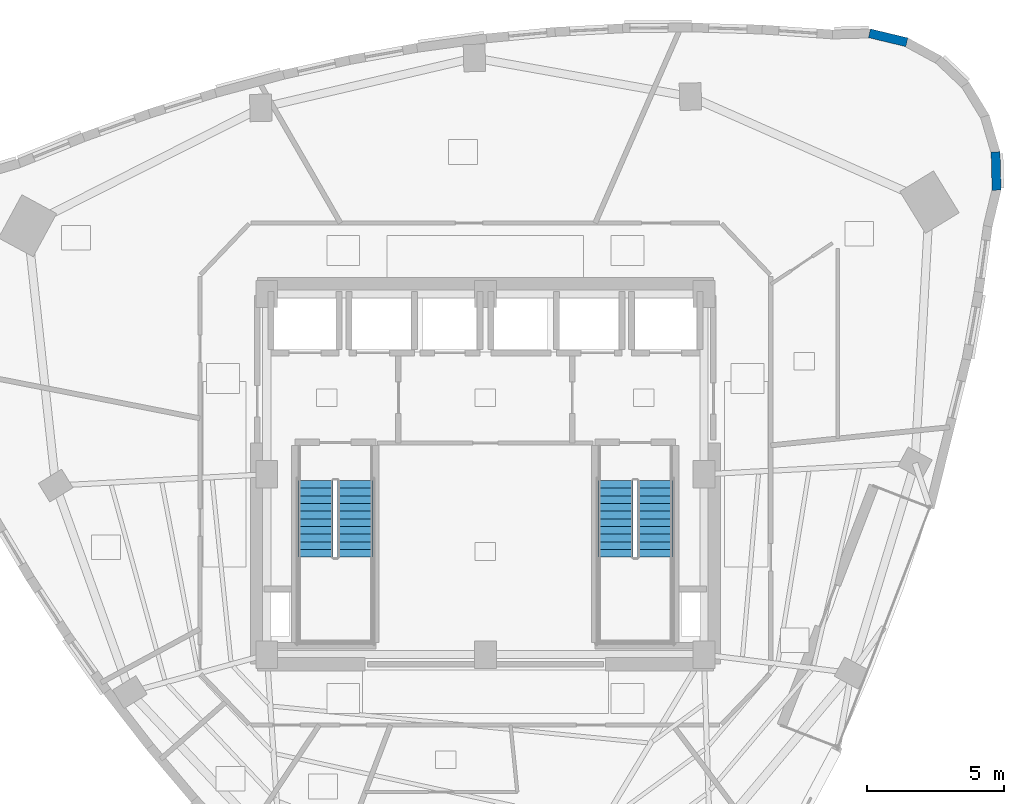
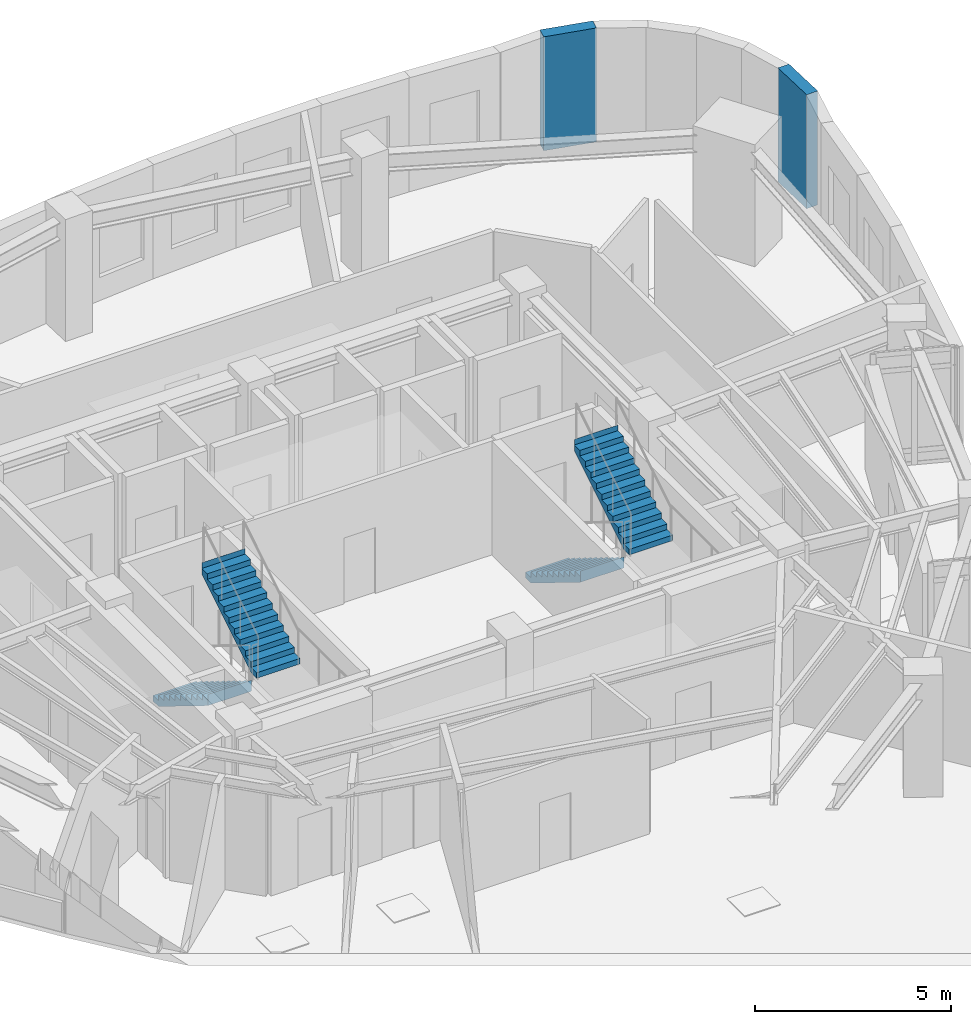
# One storey, part 7 of 10: 4 stair flights, 2 walls, 2 elements without a shape of their own.
"""IFC4 building model written with IfcOpenShell, lengths in metres."""

from ifc_helpers import new_model, si_unit, direction, frame, frame_2d, origin, place, context, subcontext, project, spatial, polyline, rectangle, outline, extrude, material, layer, layer_set, type_object, element, aggregate, save


model = new_model("IFC4")

# Units and contexts
model_context = context("Model", 3, precision=1e-05, world=origin(), true_north=direction((0.0, 1.0)))
body_context = subcontext(model_context, "Body", "Model", "MODEL_VIEW")
ifc_project = project(units=[si_unit("LENGTHUNIT", "METRE"), si_unit("AREAUNIT", "SQUARE_METRE"), si_unit("VOLUMEUNIT", "CUBIC_METRE"), si_unit("PLANEANGLEUNIT", "RADIAN"), si_unit("MASSUNIT", "GRAM", prefix="KILO")], contexts=[model_context])

# Site, building, storey
site_placement = place(None, origin())
site = spatial("IfcSite", under=ifc_project, at=site_placement, CompositionType="ELEMENT")
building_placement = place(site_placement, origin())
building = spatial("IfcBuilding", under=site, at=building_placement, Name="Ndelora Gate Hotel", CompositionType="ELEMENT")
storey_placement = place(building_placement, frame((0.0, 0.0, 239.75)))
storey = spatial("IfcBuildingStorey", under=building, at=storey_placement, Name="L60", CompositionType="ELEMENT", Elevation=239.75)

# Walls
ifc_material_1 = material(Name="Clay Brick Masonry", Category="masonry")
ifc_layer = layer(ifc_material_1, 0.330078125)
ifc_layer_set = layer_set([ifc_layer], Name="Clay Brick Masonry")
wall_type = type_object("IfcWallType", Name="WL-BRICK-330", PredefinedType="SOLIDWALL", material=ifc_layer_set)
wall_1_placement = place(storey_placement, frame((18.6796875, 11.806396484375, 0.0), z_axis=(0.0, 0.0, 1.0), x_axis=(0.02619264168, -0.999656913907, 0.0)))
element("IfcWall", 1, at=wall_1_placement, inside=storey, type_object=wall_type, Name="L60 Tower Brick Pier-and-Spandrel Wall TWR-40", PredefinedType="SOLIDWALL", context=body_context, shape_type="SweptSolid", body=[
    extrude(rectangle(XDim=1.407470703125, YDim=0.330078125, at=frame_2d((0.70361328125, 0.0))), origin(), (0.0, 0.0, 1.0), 3.550048828125),
])
wall_2_placement = place(storey_placement, frame((14.063720703125, 16.145263671875, 0.0), z_axis=(0.0, 0.0, 1.0), x_axis=(0.972395175274, -0.233340144647, 0.0)))
element("IfcWall", 2, at=wall_2_placement, inside=storey, type_object=wall_type, Name="L60 Tower Brick Pier-and-Spandrel Wall TWR-45", PredefinedType="SOLIDWALL", context=body_context, shape_type="SweptSolid", body=[
    extrude(rectangle(XDim=1.4072265625, YDim=0.330078125, at=frame_2d((0.70361328125, 0.0))), origin(), (0.0, 0.0, 1.0), 3.550048828125),
])

# Stair, stair flights
ifc_material_2 = material(Name="Precast concrete C40/50", Category="concrete")
stair_type = type_object("IfcStairType", Name="STR-DOG-CORE", PredefinedType="HALF_TURN_STAIR", material=ifc_material_2)
stair_1_placement = place(storey_placement, origin())
stair_1 = element("IfcStair", 3, at=stair_1_placement, inside=storey, type_object=stair_type, Name="L60 Protected Core Exit Stair ST4", PredefinedType="HALF_TURN_STAIR")
stair_flight_type = type_object("IfcStairFlightType", Name="STF-PRECAST", PredefinedType="STRAIGHT", material=ifc_material_2)
stair_flight_1_placement = place(storey_placement, frame((-6.2099609375, -0.22998046875, 0.0), z_axis=(0.0, 0.0, 1.0), x_axis=(0.0, -1.0, 0.0)))
stair_flight_1 = element("IfcStairFlight", 4, at=stair_flight_1_placement, type_object=stair_flight_type, Name="ST4 flight 1", NumberOfRisers=11, NumberOfTreads=10, PredefinedType="STRAIGHT", RiserHeight=0.172727273, TreadLength=0.28, context=body_context, shape_type="SweptSolid", body=[
    extrude(outline(polyline([(-0.00048828125, 0.0), (-0.00048828125, 0.172607421875), (0.0, 0.172607421875), (0.280029296875, 0.172607421875), (0.280029296875, 0.345458984375), (0.56005859375, 0.345458984375), (0.56005859375, 0.51806640625), (0.840087890625, 0.51806640625), (0.840087890625, 0.69091796875), (1.1201171875, 0.69091796875), (1.1201171875, 0.863525390625), (1.39990234375, 0.863525390625), (1.39990234375, 1.036376953125), (1.679931640625, 1.036376953125), (1.679931640625, 1.208984375), (1.9599609375, 1.208984375), (1.9599609375, 1.3818359375), (2.239990234375, 1.3818359375), (2.239990234375, 1.554443359375), (2.52001953125, 1.554443359375), (2.52001953125, 1.727294921875), (2.800048828125, 1.727294921875), (2.800048828125, 1.89990234375), (2.800537109375, 1.89990234375), (2.800537109375, 1.719970703125), (2.800048828125, 1.551025390625), (0.285400390625, 0.0), (-0.00048828125, 0.0)])), frame((0.0, 0.64013671875, 0.0), z_axis=(0.0, -1.0, 0.0), x_axis=(1.0, 0.0, 0.0)), (0.0, 0.0, 1.0), 1.280029296875),
])
stair_flight_2_placement = place(storey_placement, frame((-4.77001953125, -3.030029296875, 1.89990234375), z_axis=(0.0, 0.0, 1.0), x_axis=(0.0, 1.0, 0.0)))
stair_flight_2 = element("IfcStairFlight", 5, at=stair_flight_2_placement, type_object=stair_flight_type, Name="ST4 flight 2", NumberOfRisers=11, NumberOfTreads=10, PredefinedType="STRAIGHT", RiserHeight=0.172727273, TreadLength=0.28, context=body_context, shape_type="SweptSolid", body=[
    extrude(outline(polyline([(-0.00048828125, 0.0), (-0.00048828125, 0.172607421875), (0.0, 0.172607421875), (0.280029296875, 0.172607421875), (0.280029296875, 0.345458984375), (0.56005859375, 0.345458984375), (0.56005859375, 0.51806640625), (0.840087890625, 0.51806640625), (0.840087890625, 0.69091796875), (1.1201171875, 0.69091796875), (1.1201171875, 0.863525390625), (1.39990234375, 0.863525390625), (1.39990234375, 1.036376953125), (1.679931640625, 1.036376953125), (1.679931640625, 1.208984375), (1.9599609375, 1.208984375), (1.9599609375, 1.3818359375), (2.239990234375, 1.3818359375), (2.239990234375, 1.554443359375), (2.52001953125, 1.554443359375), (2.52001953125, 1.727294921875), (2.800048828125, 1.727294921875), (2.800048828125, 1.89990234375), (2.800537109375, 1.89990234375), (2.800537109375, 1.719970703125), (2.800048828125, 1.551025390625), (0.285400390625, 0.0), (-0.00048828125, 0.0)])), frame((0.0, 0.64013671875, 0.0), z_axis=(0.0, -1.0, 0.0), x_axis=(1.0, 0.0, 0.0)), (0.0, 0.0, 1.0), 1.280029296875),
])
aggregate(stair_1, [stair_flight_1, stair_flight_2])

stair_2_placement = place(storey_placement, origin())
stair_2 = element("IfcStair", 6, at=stair_2_placement, inside=storey, type_object=stair_type, Name="L60 Protected Core Exit Stair ST5", PredefinedType="HALF_TURN_STAIR")
stair_flight_3_placement = place(storey_placement, frame((4.77001953125, -0.22998046875, 0.0), z_axis=(0.0, 0.0, 1.0), x_axis=(0.0, -1.0, 0.0)))
stair_flight_3 = element("IfcStairFlight", 7, at=stair_flight_3_placement, type_object=stair_flight_type, Name="ST5 flight 1", NumberOfRisers=11, NumberOfTreads=10, PredefinedType="STRAIGHT", RiserHeight=0.172727273, TreadLength=0.28, context=body_context, shape_type="SweptSolid", body=[
    extrude(outline(polyline([(-0.00048828125, 0.0), (-0.00048828125, 0.172607421875), (0.0, 0.172607421875), (0.280029296875, 0.172607421875), (0.280029296875, 0.345458984375), (0.56005859375, 0.345458984375), (0.56005859375, 0.51806640625), (0.840087890625, 0.51806640625), (0.840087890625, 0.69091796875), (1.1201171875, 0.69091796875), (1.1201171875, 0.863525390625), (1.39990234375, 0.863525390625), (1.39990234375, 1.036376953125), (1.679931640625, 1.036376953125), (1.679931640625, 1.208984375), (1.9599609375, 1.208984375), (1.9599609375, 1.3818359375), (2.239990234375, 1.3818359375), (2.239990234375, 1.554443359375), (2.52001953125, 1.554443359375), (2.52001953125, 1.727294921875), (2.800048828125, 1.727294921875), (2.800048828125, 1.89990234375), (2.800537109375, 1.89990234375), (2.800537109375, 1.719970703125), (2.800048828125, 1.551025390625), (0.285400390625, 0.0), (-0.00048828125, 0.0)])), frame((0.0, 0.64013671875, 0.0), z_axis=(0.0, -1.0, 0.0), x_axis=(1.0, 0.0, 0.0)), (0.0, 0.0, 1.0), 1.280029296875),
])
stair_flight_4_placement = place(storey_placement, frame((6.2099609375, -3.030029296875, 1.89990234375), z_axis=(0.0, 0.0, 1.0), x_axis=(0.0, 1.0, 0.0)))
stair_flight_4 = element("IfcStairFlight", 8, at=stair_flight_4_placement, type_object=stair_flight_type, Name="ST5 flight 2", NumberOfRisers=11, NumberOfTreads=10, PredefinedType="STRAIGHT", RiserHeight=0.172727273, TreadLength=0.28, context=body_context, shape_type="SweptSolid", body=[
    extrude(outline(polyline([(-0.00048828125, 0.0), (-0.00048828125, 0.172607421875), (0.0, 0.172607421875), (0.280029296875, 0.172607421875), (0.280029296875, 0.345458984375), (0.56005859375, 0.345458984375), (0.56005859375, 0.51806640625), (0.840087890625, 0.51806640625), (0.840087890625, 0.69091796875), (1.1201171875, 0.69091796875), (1.1201171875, 0.863525390625), (1.39990234375, 0.863525390625), (1.39990234375, 1.036376953125), (1.679931640625, 1.036376953125), (1.679931640625, 1.208984375), (1.9599609375, 1.208984375), (1.9599609375, 1.3818359375), (2.239990234375, 1.3818359375), (2.239990234375, 1.554443359375), (2.52001953125, 1.554443359375), (2.52001953125, 1.727294921875), (2.800048828125, 1.727294921875), (2.800048828125, 1.89990234375), (2.800537109375, 1.89990234375), (2.800537109375, 1.719970703125), (2.800048828125, 1.551025390625), (0.285400390625, 0.0), (-0.00048828125, 0.0)])), frame((0.0, 0.64013671875, 0.0), z_axis=(0.0, -1.0, 0.0), x_axis=(1.0, 0.0, 0.0)), (0.0, 0.0, 1.0), 1.280029296875),
])
aggregate(stair_2, [stair_flight_3, stair_flight_4])

save(model, "model.ifc")
